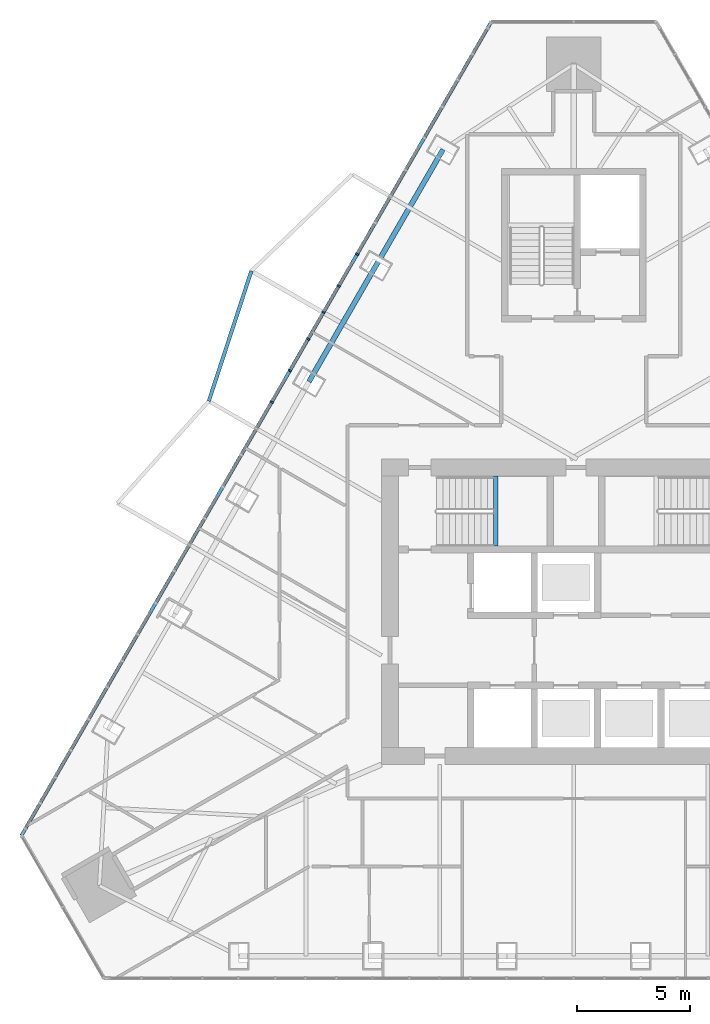
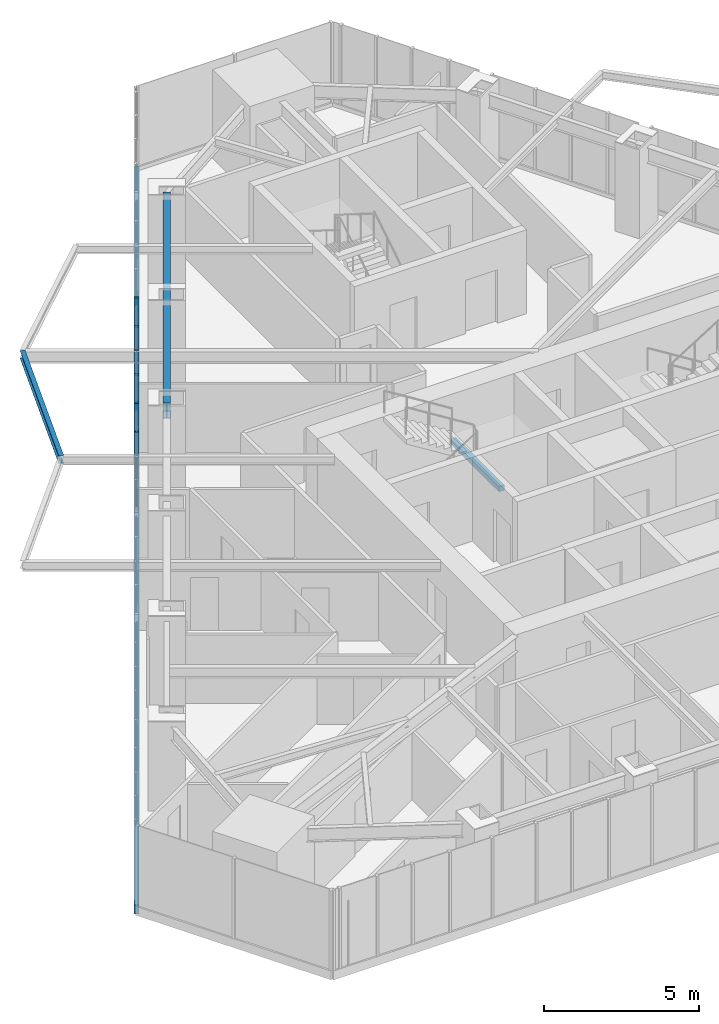
# One storey, part 5 of 19: 7 members, 3 beams, 1 element without a shape of its own.
"""IFC4 building model written with IfcOpenShell, lengths in metres."""

from ifc_helpers import new_model, si_unit, direction, frame, origin, origin_2d, place, context, subcontext, project, spatial, rectangle, i_section, extrude, material, layer, layer_set, material_profile, profile_set, type_object, element, aggregate, save


model = new_model("IFC4")

# Units and contexts
model_context = context("Model", 3, precision=1e-05, world=origin(), true_north=direction((0.0, 1.0)))
body_context = subcontext(model_context, "Body", "Model", "MODEL_VIEW")
ifc_project = project(units=[si_unit("LENGTHUNIT", "METRE"), si_unit("AREAUNIT", "SQUARE_METRE"), si_unit("VOLUMEUNIT", "CUBIC_METRE"), si_unit("PLANEANGLEUNIT", "RADIAN"), si_unit("MASSUNIT", "GRAM", prefix="KILO")], contexts=[model_context])

# Site, building, storey
site_placement = place(None, origin())
site = spatial("IfcSite", under=ifc_project, at=site_placement, CompositionType="ELEMENT")
building_placement = place(site_placement, origin())
building = spatial("IfcBuilding", under=site, at=building_placement, Name="Firuza Gate Tower and Library", CompositionType="ELEMENT")
storey_placement = place(building_placement, frame((0.0, 0.0, 316.10009765625)))
storey = spatial("IfcBuildingStorey", under=building, at=storey_placement, Name="L77", CompositionType="ELEMENT", Elevation=316.10009765625)

# Curtain wall, members
ifc_material_1 = material(Name="Aluminium 6063-T6", Category="aluminium")
ifc_layer = layer(ifc_material_1, 0.14990234375)
ifc_layer_set = layer_set([ifc_layer], Name="Unitised curtain wall, residences")
curtain_wall_type = type_object("IfcCurtainWallType", Name="Unitised curtain wall, residences", PredefinedType="NOTDEFINED", material=ifc_layer_set)
curtain_wall_placement = place(storey_placement, origin())
curtain_wall = element("IfcCurtainWall", 1, at=curtain_wall_placement, inside=storey, type_object=curtain_wall_type, Name="CW3 L77 W face", PredefinedType="NOTDEFINED")
ifc_material_2 = material(Name="Aluminium 6063-T6", Category="aluminium")
ifc_material_profile_1 = material_profile(ifc_material_2, rectangle(XDim=0.14990234375, YDim=0.080078125, at=origin_2d()))
ifc_profile_set_1 = profile_set([ifc_material_profile_1], Name="Aluminium 6063-T6")
member_type_1 = type_object("IfcMemberType", Name="Curtain wall mullion 80x150", PredefinedType="MULLION", material=ifc_profile_set_1)
member_1_placement = place(storey_placement, frame((65.42431640625, 90.8037109375, 0.14990234375), z_axis=(0.0, 0.0, 1.0), x_axis=(0.866025403784, -0.5, 0.0)))
member_1 = element("IfcMember", 2, at=member_1_placement, type_object=member_type_1, Name="Mullion", PredefinedType="MULLION", context=body_context, shape_type="SweptSolid", body=[
    extrude(rectangle(XDim=0.14990234375, YDim=0.080078125, at=origin_2d()), origin(), (0.0, 0.0, 1.0), 3.14990234375),
])
member_2_placement = place(storey_placement, frame((63.941162109375, 88.23486328125, 0.14990234375), z_axis=(0.0, 0.0, 1.0), x_axis=(0.866025403784, -0.5, 0.0)))
member_2 = element("IfcMember", 3, at=member_2_placement, type_object=member_type_1, Name="Mullion", PredefinedType="MULLION", context=body_context, shape_type="SweptSolid", body=[
    extrude(rectangle(XDim=0.14990234375, YDim=0.080078125, at=origin_2d()), origin(), (0.0, 0.0, 1.0), 3.14990234375),
])
member_3_placement = place(storey_placement, frame((62.458251953125, 85.666015625, 0.14990234375), z_axis=(0.0, 0.0, 1.0), x_axis=(0.866025403784, -0.5, 0.0)))
member_3 = element("IfcMember", 4, at=member_3_placement, type_object=member_type_1, Name="Mullion", PredefinedType="MULLION", context=body_context, shape_type="SweptSolid", body=[
    extrude(rectangle(XDim=0.14990234375, YDim=0.080078125, at=origin_2d()), origin(), (0.0, 0.0, 1.0), 3.14990234375),
])
member_4_placement = place(storey_placement, frame((64.609375, 89.392333984375, 0.14990234375), z_axis=(0.0, 0.0, 1.0), x_axis=(0.866025403784, -0.5, 0.0)))
member_4 = element("IfcMember", 5, at=member_4_placement, type_object=member_type_1, Name="Mullion", PredefinedType="MULLION", context=body_context, shape_type="SweptSolid", body=[
    extrude(rectangle(XDim=0.14990234375, YDim=0.080078125, at=origin_2d()), origin(), (0.0, 0.0, 1.0), 3.14990234375),
])
member_5_placement = place(storey_placement, frame((63.260498046875, 87.055908203125, 0.14990234375), z_axis=(0.0, 0.0, 1.0), x_axis=(0.866025403784, -0.5, 0.0)))
member_5 = element("IfcMember", 6, at=member_5_placement, type_object=member_type_1, Name="Mullion", PredefinedType="MULLION", context=body_context, shape_type="SweptSolid", body=[
    extrude(rectangle(XDim=0.14990234375, YDim=0.080078125, at=origin_2d()), origin(), (0.0, 0.0, 1.0), 3.14990234375),
])
member_6_placement = place(storey_placement, frame((61.6494140625, 84.265380859375, 0.14990234375), z_axis=(0.0, 0.0, 1.0), x_axis=(0.866025403784, -0.5, 0.0)))
member_6 = element("IfcMember", 7, at=member_6_placement, type_object=member_type_1, Name="Mullion", PredefinedType="MULLION", context=body_context, shape_type="SweptSolid", body=[
    extrude(rectangle(XDim=0.14990234375, YDim=0.080078125, at=origin_2d()), origin(), (0.0, 0.0, 1.0), 3.14990234375),
])
ifc_material_3 = material(Name="Aluminium 6063-T6", Category="aluminium")
ifc_material_profile_2 = material_profile(ifc_material_3, rectangle(XDim=0.14990234375, YDim=0.35009765625, at=origin_2d()))
ifc_profile_set_2 = profile_set([ifc_material_profile_2], Name="Aluminium 6063-T6")
member_type_2 = type_object("IfcMemberType", Name="Curtain wall transom 350x150", PredefinedType="USERDEFINED", material=ifc_profile_set_2)
member_7_placement = place(storey_placement, frame((71.356689453125, 101.078857421875, -0.025146484375), z_axis=(-0.499997436385, -0.866026883883, 0.0), x_axis=(0.866026883883, -0.499997436385, 0.0)))
member_7 = element("IfcMember", 8, at=member_7_placement, type_object=member_type_2, Name="Transom", ObjectType="TRANSOM", PredefinedType="USERDEFINED", context=body_context, shape_type="SweptSolid", body=[
    extrude(rectangle(XDim=0.14990234375, YDim=0.35009765625, at=origin_2d()), origin(), (0.0, 0.0, 1.0), 41.526611328125),
])
aggregate(curtain_wall, [member_1, member_2, member_3, member_7, member_4, member_5, member_6])

# Beams
ifc_material_4 = material(Name="Concrete C35/45", Category="concrete")
ifc_material_profile_3 = material_profile(ifc_material_4, rectangle(XDim=0.199951171875, YDim=0.199951171875, at=origin_2d()))
ifc_profile_set_3 = profile_set([ifc_material_profile_3], Name="Concrete C35/45")
beam_type_1 = type_object("IfcBeamType", Name="Stair landing bearer 200x200", PredefinedType="BEAM", material=ifc_profile_set_3)
beam_1_placement = place(storey_placement, frame((71.56005859375, 77.89990234375, 1.449951171875), z_axis=(0.0, 1.0, 0.0), x_axis=(-1.0, 0.0, 0.0)))
element("IfcBeam", 9, at=beam_1_placement, inside=storey, type_object=beam_type_1, Name="Landing bearer L77 stair 1", PredefinedType="BEAM", context=body_context, shape_type="SweptSolid", body=[
    extrude(rectangle(XDim=0.199951171875, YDim=0.199951171875, at=origin_2d()), origin(), (0.0, 0.0, 1.0), 3.10009765625),
])
ifc_material_5 = material(Name="Steel S355", Category="steel")
ifc_material_profile_4 = material_profile(ifc_material_5, i_section(OverallWidth=0.1650390625, OverallDepth=0.31005859375, WebThickness=0.005859375, FlangeThickness=0.009765625, at=origin_2d()))
ifc_profile_set_4 = profile_set([ifc_material_profile_4], Name="Steel S355")
beam_type_2 = type_object("IfcBeamType", Name="W310x39 Floor beam", PredefinedType="JOIST", material=ifc_profile_set_4)
beam_2_placement = place(storey_placement, frame((60.75244140625, 90.061767578125, 3.14501953125), z_axis=(-0.310762693523, -0.950487531909, 0.0), x_axis=(0.950487531909, -0.310762693523, 0.0)))
element("IfcBeam", 10, at=beam_2_placement, inside=storey, type_object=beam_type_2, Name="Tray edge beam L77 s81-s82", PredefinedType="JOIST", context=body_context, shape_type="SweptSolid", body=[
    extrude(i_section(OverallWidth=0.1650390625, OverallDepth=0.31005859375, WebThickness=0.005859375, FlangeThickness=0.009765625, at=origin_2d()), origin(), (0.0, 0.0, 1.0), 6.050048828125),
])
ifc_material_6 = material(Name="Steel S355", Category="steel")
ifc_material_profile_5 = material_profile(ifc_material_6, i_section(OverallWidth=0.22900390625, OverallDepth=0.612060546875, WebThickness=0.011962890625, FlangeThickness=0.01953125, at=origin_2d()))
ifc_profile_set_5 = profile_set([ifc_material_profile_5], Name="Steel S355")
beam_type_3 = type_object("IfcBeamType", Name="W610x125 Edge beam", PredefinedType="SPANDREL", material=ifc_profile_set_5)
beam_3_placement = place(storey_placement, frame((69.219482421875, 95.427001953125, 2.993896484375), z_axis=(-0.500013393289, -0.866017671027, 0.0), x_axis=(0.866017671027, -0.500013393289, 0.0)))
element("IfcBeam", 11, at=beam_3_placement, inside=storey, type_object=beam_type_3, Name="Edge beam L77 e80", PredefinedType="SPANDREL", context=body_context, shape_type="SweptSolid", body=[
    extrude(i_section(OverallWidth=0.22900390625, OverallDepth=0.612060546875, WebThickness=0.011962890625, FlangeThickness=0.01953125, at=origin_2d()), origin(), (0.0, 0.0, 1.0), 11.840087890625),
])

save(model, "model.ifc")
